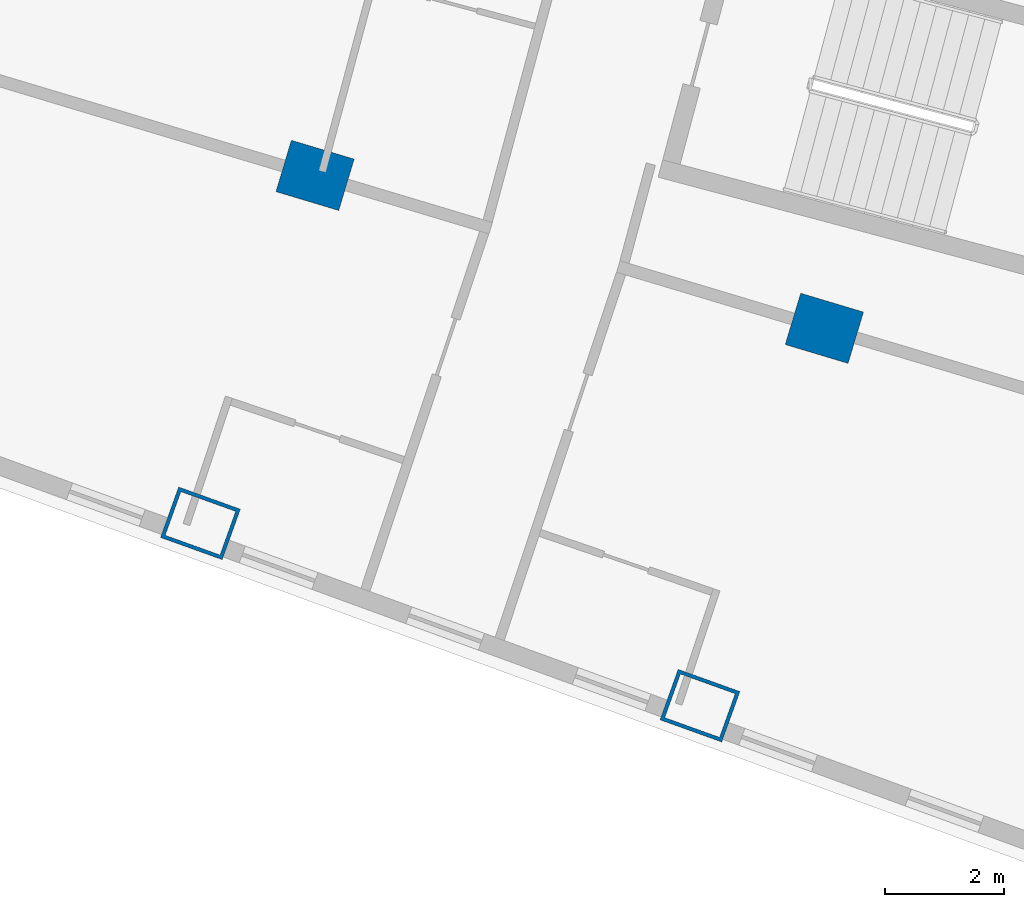
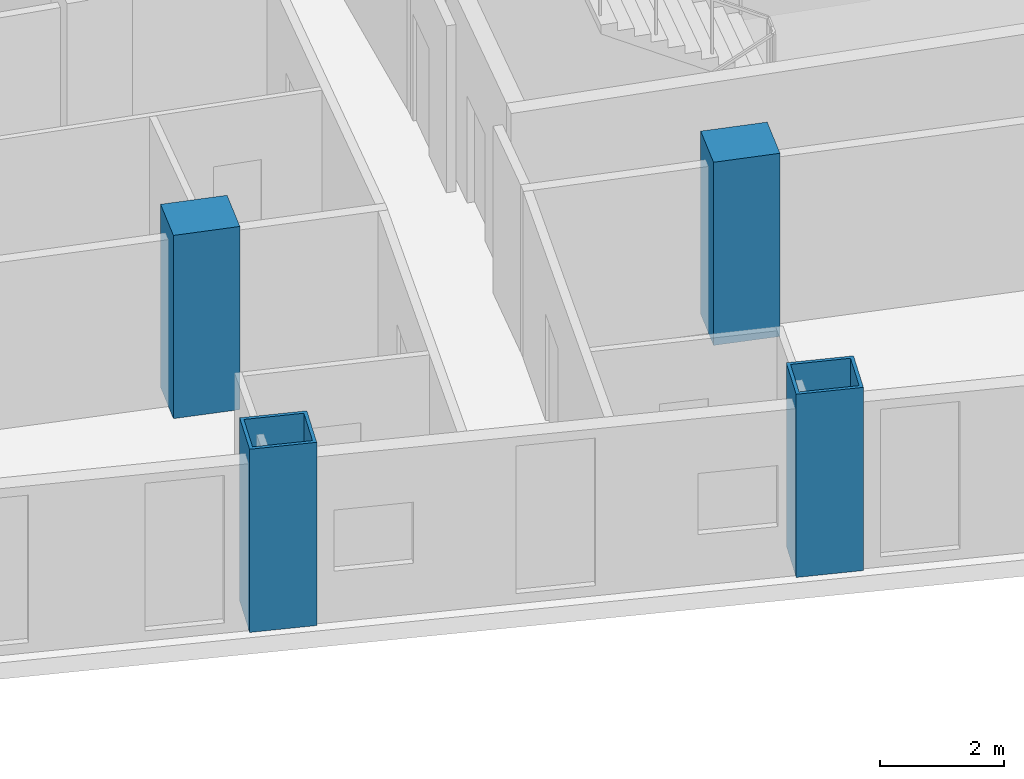
# One storey, part 2 of 25: 4 columns.
"""IFC4 building model written with IfcOpenShell, lengths in metres."""

from ifc_helpers import new_model, si_unit, direction, frame, origin, origin_2d, place, context, subcontext, project, spatial, rectangle, hollow_rectangle, extrude, material, material_profile, profile_set, type_object, element, save


model = new_model("IFC4")

# Units and contexts
model_context = context("Model", 3, precision=1e-05, world=origin(), true_north=direction((0.0, 1.0)))
body_context = subcontext(model_context, "Body", "Model", "MODEL_VIEW")
ifc_project = project(units=[si_unit("LENGTHUNIT", "METRE"), si_unit("AREAUNIT", "SQUARE_METRE"), si_unit("VOLUMEUNIT", "CUBIC_METRE"), si_unit("PLANEANGLEUNIT", "RADIAN"), si_unit("MASSUNIT", "GRAM", prefix="KILO")], contexts=[model_context])

# Site, building, storey
site_placement = place(None, origin())
site = spatial("IfcSite", under=ifc_project, at=site_placement, CompositionType="ELEMENT")
building_placement = place(site_placement, origin())
building = spatial("IfcBuilding", under=site, at=building_placement, Name="Alderwake Tower", CompositionType="ELEMENT")
storey_placement = place(building_placement, frame((0.0, 0.0, 57.199951171875)))
storey = spatial("IfcBuildingStorey", under=building, at=storey_placement, Name="L13", CompositionType="ELEMENT", Elevation=57.199951171875)

# Columns
ifc_material_1 = material(Name="Steel ASTM A572 Grade 50 concrete filled C70/85", Category="concrete")
ifc_material_profile_1 = material_profile(ifc_material_1, hollow_rectangle(XDim=0.89990234375, YDim=1.10009765625, WallThickness=0.06005859375, at=origin_2d()), Name="BOX 1100X900X60")
ifc_profile_set_1 = profile_set([ifc_material_profile_1], Name="Steel ASTM A572 Grade 50 concrete filled C70/85")
column_type_1 = type_object("IfcColumnType", Name="End column Z1", PredefinedType="COLUMN", material=ifc_profile_set_1)
for number, where, z_axis, x_axis, name in (
    (1, (28.983642578125, 21.856689453125, 0.0), (0.0, 0.0, 1.0), (0.338026774049, 0.941136493834, 0.0), "Column R01-C2"),
    (2, (37.37548828125, 18.793212890625, 0.0), (0.0, 0.0, 1.0), (0.338374980629, 0.941011356193, 0.0), "Column R01-C3"),
):
    element("IfcColumn", number, at=place(storey_placement, frame(where, z_axis=z_axis, x_axis=x_axis)), inside=storey, type_object=column_type_1, Name=name, PredefinedType="COLUMN", context=body_context, shape_type="SweptSolid", body=[
        extrude(hollow_rectangle(XDim=0.89990234375, YDim=1.10009765625, WallThickness=0.06005859375, at=origin_2d()), origin(), (0.0, 0.0, 1.0), 3.60009765625),
    ])
ifc_material_2 = material(Name="Concrete C70/85", Category="concrete")
ifc_material_profile_2 = material_profile(ifc_material_2, rectangle(XDim=0.89990234375, YDim=1.10009765625, at=origin_2d()), Name="RC 1100X900")
ifc_profile_set_2 = profile_set([ifc_material_profile_2], Name="Concrete C70/85")
column_type_2 = type_object("IfcColumnType", Name="Interior column Z1", PredefinedType="COLUMN", material=ifc_profile_set_2)
for number, where, z_axis, x_axis, name in (
    (3, (30.9091796875, 27.701904296875, 0.0), (0.0, 0.0, 1.0), (0.287549418125, 0.957765802342, 0.0), "Column R02-C2"),
    (4, (39.46533203125, 25.133056640625, 0.0), (0.0, 0.0, 1.0), (0.287549418125, 0.957765802342, 0.0), "Column R02-C3"),
):
    element("IfcColumn", number, at=place(storey_placement, frame(where, z_axis=z_axis, x_axis=x_axis)), inside=storey, type_object=column_type_2, Name=name, PredefinedType="COLUMN", context=body_context, shape_type="SweptSolid", body=[
        extrude(rectangle(XDim=0.89990234375, YDim=1.10009765625, at=origin_2d()), origin(), (0.0, 0.0, 1.0), 3.60009765625),
    ])

save(model, "model.ifc")
